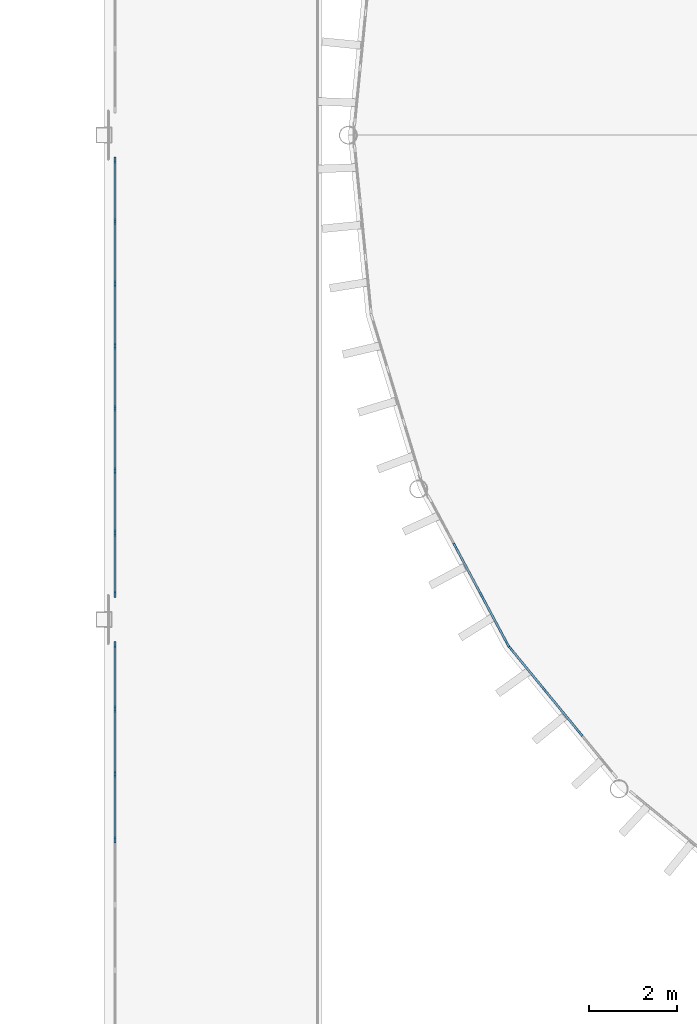
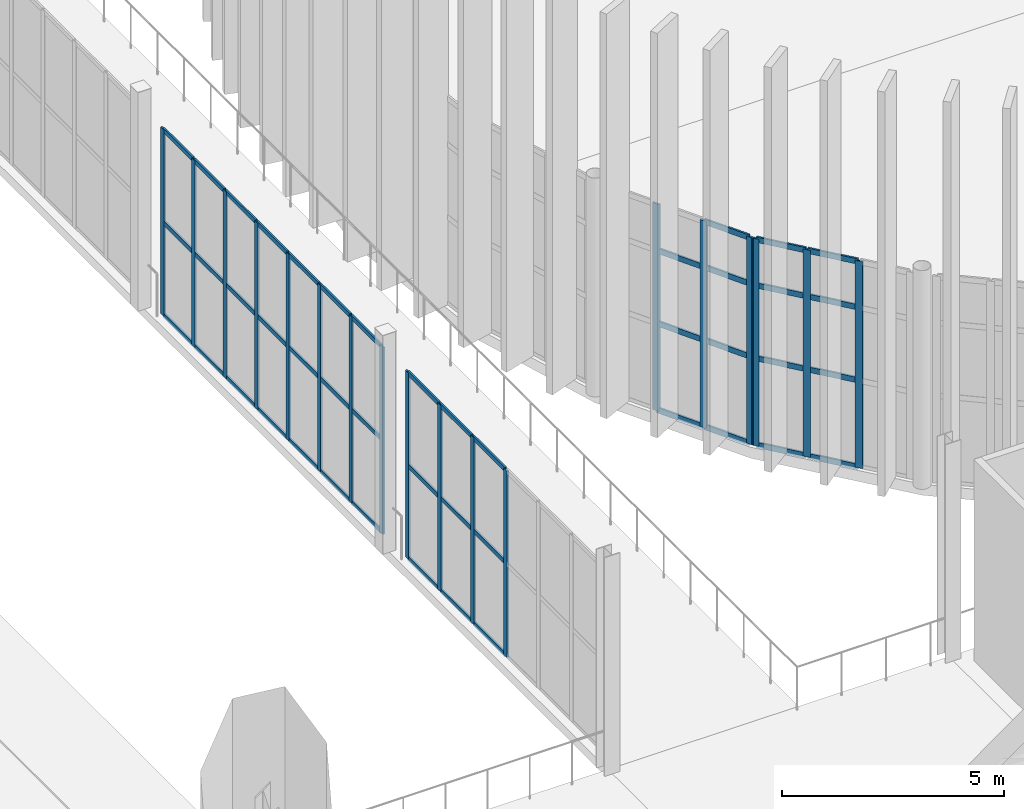
# One storey, part 41 of 139: 63 members, 4 elements without a shape of their own.
"""IFC4 building model written with IfcOpenShell, lengths in metres."""

from ifc_helpers import new_model, si_unit, direction, frame, origin, origin_2d, place, context, subcontext, project, spatial, rectangle, extrude, material, layer, layer_set, material_profile, profile_set, type_object, element, aggregate, save


model = new_model("IFC4")

# Units and contexts
model_context = context("Model", 3, precision=1e-05, world=origin(), true_north=direction((0.0, 1.0)))
body_context = subcontext(model_context, "Body", "Model", "MODEL_VIEW")
ifc_project = project(units=[si_unit("LENGTHUNIT", "METRE"), si_unit("AREAUNIT", "SQUARE_METRE"), si_unit("VOLUMEUNIT", "CUBIC_METRE"), si_unit("PLANEANGLEUNIT", "RADIAN"), si_unit("MASSUNIT", "GRAM", prefix="KILO")], contexts=[model_context])

# Site, building, storey
site_placement = place(None, origin())
site = spatial("IfcSite", under=ifc_project, at=site_placement, CompositionType="ELEMENT")
building_placement = place(site_placement, origin())
building = spatial("IfcBuilding", under=site, at=building_placement, Name="Yeouljin Market Hall", CompositionType="ELEMENT")
storey_placement = place(building_placement, origin())
storey = spatial("IfcBuildingStorey", under=building, at=storey_placement, Name="L00", CompositionType="ELEMENT", Elevation=0.0)

# Curtain wall, members
ifc_material_1 = material(Name="Thermally Broken Aluminium", Category="aluminium")
ifc_layer_1 = layer(ifc_material_1, 0.14990234375)
ifc_layer_set_1 = layer_set([ifc_layer_1], Name="Thermally Broken Aluminium")
curtain_wall_type_1 = type_object("IfcCurtainWallType", Name="CW_WingStorefront_System", PredefinedType="USERDEFINED", material=ifc_layer_set_1)
curtain_wall_1_placement = place(storey_placement, origin())
curtain_wall_1 = element("IfcCurtainWall", 1, at=curtain_wall_1_placement, inside=storey, type_object=curtain_wall_type_1, Name="Curtain wall CW-CRT-L00-05", ObjectType="CURTAIN WALL", PredefinedType="USERDEFINED")
ifc_material_2 = material(Name="Thermally Broken Aluminium", Category="aluminium")
ifc_material_profile_1 = material_profile(ifc_material_2, rectangle(XDim=0.048095703125, YDim=0.14990234375, at=origin_2d()), Name="CW-MULL-48x150")
ifc_profile_set_1 = profile_set([ifc_material_profile_1], Name="Thermally Broken Aluminium")
member_type_1 = type_object("IfcMemberType", Name="CWMullion_48x150", PredefinedType="MULLION", material=ifc_profile_set_1)
member_1_placement = place(storey_placement, frame((9.10009765625, 41.0, 0.0), z_axis=(0.0, 0.0, 1.0), x_axis=(-1.0, 0.0, 0.0)))
member_1 = element("IfcMember", 2, at=member_1_placement, type_object=member_type_1, Name="CW-04 mullion 4", PredefinedType="MULLION", context=body_context, shape_type="SweptSolid", body=[
    extrude(rectangle(XDim=0.048095703125, YDim=0.14990234375, at=origin_2d()), origin(), (0.0, 0.0, 1.0), 5.1201171875),
])
member_2_placement = place(storey_placement, frame((9.10009765625, 42.4833984375, 0.0), z_axis=(0.0, 0.0, 1.0), x_axis=(-1.0, 0.0, 0.0)))
member_2 = element("IfcMember", 3, at=member_2_placement, type_object=member_type_1, Name="CW-04 mullion 5", PredefinedType="MULLION", context=body_context, shape_type="SweptSolid", body=[
    extrude(rectangle(XDim=0.048095703125, YDim=0.14990234375, at=origin_2d()), origin(), (0.0, 0.0, 1.0), 5.1201171875),
])
member_3_placement = place(storey_placement, frame((9.10009765625, 43.966552734375, 0.0), z_axis=(0.0, 0.0, 1.0), x_axis=(-1.0, 0.0, 0.0)))
member_3 = element("IfcMember", 4, at=member_3_placement, type_object=member_type_1, Name="CW-04 mullion 6", PredefinedType="MULLION", context=body_context, shape_type="SweptSolid", body=[
    extrude(rectangle(XDim=0.048095703125, YDim=0.14990234375, at=origin_2d()), origin(), (0.0, 0.0, 1.0), 5.1201171875),
])
member_4_placement = place(storey_placement, frame((9.10009765625, 45.426025390625, 0.0), z_axis=(0.0, 0.0, 1.0), x_axis=(-1.0, 0.0, 0.0)))
member_4 = element("IfcMember", 5, at=member_4_placement, type_object=member_type_1, Name="CW-04 mullion 7", PredefinedType="MULLION", context=body_context, shape_type="SweptSolid", body=[
    extrude(rectangle(XDim=0.048095703125, YDim=0.14990234375, at=origin_2d()), origin(), (0.0, 0.0, 1.0), 5.1201171875),
])

curtain_wall_2_placement = place(storey_placement, origin())
curtain_wall_2 = element("IfcCurtainWall", 6, at=curtain_wall_2_placement, inside=storey, type_object=curtain_wall_type_1, Name="Curtain wall CW-CRT-L00-06", ObjectType="CURTAIN WALL", PredefinedType="USERDEFINED")
member_5_placement = place(storey_placement, frame((9.10009765625, 46.573974609375, 0.0), z_axis=(0.0, 0.0, 1.0), x_axis=(-1.0, 0.0, 0.0)))
member_5 = element("IfcMember", 7, at=member_5_placement, type_object=member_type_1, Name="CW-04 mullion 1", PredefinedType="MULLION", context=body_context, shape_type="SweptSolid", body=[
    extrude(rectangle(XDim=0.048095703125, YDim=0.14990234375, at=origin_2d()), origin(), (0.0, 0.0, 1.0), 5.1201171875),
])
member_6_placement = place(storey_placement, frame((9.10009765625, 47.96435546875, 0.0), z_axis=(0.0, 0.0, 1.0), x_axis=(-1.0, 0.0, 0.0)))
member_6 = element("IfcMember", 8, at=member_6_placement, type_object=member_type_1, Name="CW-04 mullion 2", PredefinedType="MULLION", context=body_context, shape_type="SweptSolid", body=[
    extrude(rectangle(XDim=0.048095703125, YDim=0.14990234375, at=origin_2d()), origin(), (0.0, 0.0, 1.0), 5.1201171875),
])
member_7_placement = place(storey_placement, frame((9.10009765625, 49.378662109375, 0.0), z_axis=(0.0, 0.0, 1.0), x_axis=(-1.0, 0.0, 0.0)))
member_7 = element("IfcMember", 9, at=member_7_placement, type_object=member_type_1, Name="CW-04 mullion 3", PredefinedType="MULLION", context=body_context, shape_type="SweptSolid", body=[
    extrude(rectangle(XDim=0.048095703125, YDim=0.14990234375, at=origin_2d()), origin(), (0.0, 0.0, 1.0), 5.1201171875),
])
member_8_placement = place(storey_placement, frame((9.10009765625, 50.79296875, 0.0), z_axis=(0.0, 0.0, 1.0), x_axis=(-1.0, 0.0, 0.0)))
member_8 = element("IfcMember", 10, at=member_8_placement, type_object=member_type_1, Name="CW-04 mullion 4", PredefinedType="MULLION", context=body_context, shape_type="SweptSolid", body=[
    extrude(rectangle(XDim=0.048095703125, YDim=0.14990234375, at=origin_2d()), origin(), (0.0, 0.0, 1.0), 5.1201171875),
])
member_9_placement = place(storey_placement, frame((9.10009765625, 52.20703125, 0.0), z_axis=(0.0, 0.0, 1.0), x_axis=(-1.0, 0.0, 0.0)))
member_9 = element("IfcMember", 11, at=member_9_placement, type_object=member_type_1, Name="CW-04 mullion 5", PredefinedType="MULLION", context=body_context, shape_type="SweptSolid", body=[
    extrude(rectangle(XDim=0.048095703125, YDim=0.14990234375, at=origin_2d()), origin(), (0.0, 0.0, 1.0), 5.1201171875),
])
member_10_placement = place(storey_placement, frame((9.10009765625, 53.621337890625, 0.0), z_axis=(0.0, 0.0, 1.0), x_axis=(-1.0, 0.0, 0.0)))
member_10 = element("IfcMember", 12, at=member_10_placement, type_object=member_type_1, Name="CW-04 mullion 6", PredefinedType="MULLION", context=body_context, shape_type="SweptSolid", body=[
    extrude(rectangle(XDim=0.048095703125, YDim=0.14990234375, at=origin_2d()), origin(), (0.0, 0.0, 1.0), 5.1201171875),
])
member_11_placement = place(storey_placement, frame((9.10009765625, 55.03564453125, 0.0), z_axis=(0.0, 0.0, 1.0), x_axis=(-1.0, 0.0, 0.0)))
member_11 = element("IfcMember", 13, at=member_11_placement, type_object=member_type_1, Name="CW-04 mullion 7", PredefinedType="MULLION", context=body_context, shape_type="SweptSolid", body=[
    extrude(rectangle(XDim=0.048095703125, YDim=0.14990234375, at=origin_2d()), origin(), (0.0, 0.0, 1.0), 5.1201171875),
])
member_12_placement = place(storey_placement, frame((9.10009765625, 56.426025390625, 0.0), z_axis=(0.0, 0.0, 1.0), x_axis=(-1.0, 0.0, 0.0)))
member_12 = element("IfcMember", 14, at=member_12_placement, type_object=member_type_1, Name="CW-04 mullion 8", PredefinedType="MULLION", context=body_context, shape_type="SweptSolid", body=[
    extrude(rectangle(XDim=0.048095703125, YDim=0.14990234375, at=origin_2d()), origin(), (0.0, 0.0, 1.0), 5.1201171875),
])

ifc_material_3 = material(Name="Thermally Broken Aluminium", Category="aluminium")
ifc_layer_2 = layer(ifc_material_3, 0.179931640625)
ifc_layer_set_2 = layer_set([ifc_layer_2], Name="Thermally Broken Aluminium")
curtain_wall_type_2 = type_object("IfcCurtainWallType", Name="CW_ApseCurved_System", PredefinedType="USERDEFINED", material=ifc_layer_set_2)
curtain_wall_3_placement = place(storey_placement, origin())
curtain_wall_3 = element("IfcCurtainWall", 15, at=curtain_wall_3_placement, inside=storey, type_object=curtain_wall_type_2, Name="Curtain wall CW-AP-WL00-05", ObjectType="CURTAIN WALL", PredefinedType="USERDEFINED")
ifc_material_4 = material(Name="Thermally Broken Aluminium", Category="aluminium")
ifc_material_profile_2 = material_profile(ifc_material_4, rectangle(XDim=0.048095703125, YDim=0.179931640625, at=origin_2d()), Name="CW-MULL-48x180")
ifc_profile_set_2 = profile_set([ifc_material_profile_2], Name="Thermally Broken Aluminium")
member_type_2 = type_object("IfcMemberType", Name="CWMullion_48x180", PredefinedType="MULLION", material=ifc_profile_set_2)
member_13_placement = place(storey_placement, frame((19.66015625, 43.42431640625, 0.0), z_axis=(0.0, 0.0, 1.0), x_axis=(-0.773017717982, -0.634384432096, 0.0)))
member_13 = element("IfcMember", 16, at=member_13_placement, type_object=member_type_2, Name="CW-03 mullion 2", PredefinedType="MULLION", context=body_context, shape_type="SweptSolid", body=[
    extrude(rectangle(XDim=0.048095703125, YDim=0.179931640625, at=origin_2d()), origin(), (0.0, 0.0, 1.0), 5.679931640625),
])
member_14_placement = place(storey_placement, frame((18.8623046875, 44.396484375, 0.0), z_axis=(0.0, 0.0, 1.0), x_axis=(-0.773017717982, -0.634384432096, 0.0)))
member_14 = element("IfcMember", 17, at=member_14_placement, type_object=member_type_2, Name="CW-03 mullion 3", PredefinedType="MULLION", context=body_context, shape_type="SweptSolid", body=[
    extrude(rectangle(XDim=0.048095703125, YDim=0.179931640625, at=origin_2d()), origin(), (0.0, 0.0, 1.0), 5.679931640625),
])
member_15_placement = place(storey_placement, frame((18.07958984375, 45.350341796875, 0.0), z_axis=(0.0, 0.0, 1.0), x_axis=(-0.773017717982, -0.634384432096, 0.0)))
member_15 = element("IfcMember", 18, at=member_15_placement, type_object=member_type_2, Name="CW-03 mullion 4", PredefinedType="MULLION", context=body_context, shape_type="SweptSolid", body=[
    extrude(rectangle(XDim=0.048095703125, YDim=0.179931640625, at=origin_2d()), origin(), (0.0, 0.0, 1.0), 5.679931640625),
])

curtain_wall_4_placement = place(storey_placement, origin())
curtain_wall_4 = element("IfcCurtainWall", 19, at=curtain_wall_4_placement, inside=storey, type_object=curtain_wall_type_2, Name="Curtain wall CW-AP-WL00-06", ObjectType="CURTAIN WALL", PredefinedType="USERDEFINED")
member_16_placement = place(storey_placement, frame((18.0087890625, 45.4560546875, 0.0), z_axis=(0.0, 0.0, 1.0), x_axis=(-0.881931478712, -0.471377626598, 0.0)))
member_16 = element("IfcMember", 20, at=member_16_placement, type_object=member_type_2, Name="CW-03 mullion 1", PredefinedType="MULLION", context=body_context, shape_type="SweptSolid", body=[
    extrude(rectangle(XDim=0.048095703125, YDim=0.179931640625, at=origin_2d()), origin(), (0.0, 0.0, 1.0), 5.679931640625),
])
member_17_placement = place(storey_placement, frame((17.42724609375, 46.544189453125, 0.0), z_axis=(0.0, 0.0, 1.0), x_axis=(-0.881931478712, -0.471377626598, 0.0)))
member_17 = element("IfcMember", 21, at=member_17_placement, type_object=member_type_2, Name="CW-03 mullion 2", PredefinedType="MULLION", context=body_context, shape_type="SweptSolid", body=[
    extrude(rectangle(XDim=0.048095703125, YDim=0.179931640625, at=origin_2d()), origin(), (0.0, 0.0, 1.0), 5.679931640625),
])
member_18_placement = place(storey_placement, frame((16.834228515625, 47.653564453125, 0.0), z_axis=(0.0, 0.0, 1.0), x_axis=(-0.881931478712, -0.471377626598, 0.0)))
member_18 = element("IfcMember", 22, at=member_18_placement, type_object=member_type_2, Name="CW-03 mullion 3", PredefinedType="MULLION", context=body_context, shape_type="SweptSolid", body=[
    extrude(rectangle(XDim=0.048095703125, YDim=0.179931640625, at=origin_2d()), origin(), (0.0, 0.0, 1.0), 5.679931640625),
])

# Member
ifc_material_5 = material(Name="Thermally Broken Aluminium", Category="aluminium")
ifc_material_profile_3 = material_profile(ifc_material_5, rectangle(XDim=0.048095703125, YDim=0.1201171875, at=origin_2d()), Name="CW-TRAN-48x120")
ifc_profile_set_3 = profile_set([ifc_material_profile_3], Name="Thermally Broken Aluminium")
member_type_3 = type_object("IfcMemberType", Name="CWTransom_48x120", PredefinedType="USERDEFINED", material=ifc_profile_set_3)
member_19_placement = place(storey_placement, frame((9.10009765625, 41.02392578125, 0.02392578125), z_axis=(0.0, 1.0, 0.0), x_axis=(-1.0, 0.0, 0.0)))
member_19 = element("IfcMember", 23, at=member_19_placement, type_object=member_type_3, Name="CW-04 transom 4.1", ObjectType="TRANSOM", PredefinedType="USERDEFINED", context=body_context, shape_type="SweptSolid", body=[
    extrude(rectangle(XDim=0.048095703125, YDim=0.1201171875, at=origin_2d()), origin(), (0.0, 0.0, 1.0), 1.435302734375),
])

member_20_placement = place(storey_placement, frame((9.10009765625, 41.02392578125, 2.56005859375), z_axis=(0.0, 1.0, 0.0), x_axis=(-1.0, 0.0, 0.0)))
member_20 = element("IfcMember", 24, at=member_20_placement, type_object=member_type_3, Name="CW-04 transom 4.2", ObjectType="TRANSOM", PredefinedType="USERDEFINED", context=body_context, shape_type="SweptSolid", body=[
    extrude(rectangle(XDim=0.048095703125, YDim=0.1201171875, at=origin_2d()), origin(), (0.0, 0.0, 1.0), 1.435302734375),
])

member_21_placement = place(storey_placement, frame((9.10009765625, 41.02392578125, 5.095947265625), z_axis=(0.0, 1.0, 0.0), x_axis=(-1.0, 0.0, 0.0)))
member_21 = element("IfcMember", 25, at=member_21_placement, type_object=member_type_3, Name="CW-04 transom 4.3", ObjectType="TRANSOM", PredefinedType="USERDEFINED", context=body_context, shape_type="SweptSolid", body=[
    extrude(rectangle(XDim=0.048095703125, YDim=0.1201171875, at=origin_2d()), origin(), (0.0, 0.0, 1.0), 1.435302734375),
])

member_22_placement = place(storey_placement, frame((9.10009765625, 42.50732421875, 0.02392578125), z_axis=(0.0, 1.0, 0.0), x_axis=(-1.0, 0.0, 0.0)))
member_22 = element("IfcMember", 26, at=member_22_placement, type_object=member_type_3, Name="CW-04 transom 5.1", ObjectType="TRANSOM", PredefinedType="USERDEFINED", context=body_context, shape_type="SweptSolid", body=[
    extrude(rectangle(XDim=0.048095703125, YDim=0.1201171875, at=origin_2d()), origin(), (0.0, 0.0, 1.0), 1.435302734375),
])

member_23_placement = place(storey_placement, frame((9.10009765625, 42.50732421875, 2.56005859375), z_axis=(0.0, 1.0, 0.0), x_axis=(-1.0, 0.0, 0.0)))
member_23 = element("IfcMember", 27, at=member_23_placement, type_object=member_type_3, Name="CW-04 transom 5.2", ObjectType="TRANSOM", PredefinedType="USERDEFINED", context=body_context, shape_type="SweptSolid", body=[
    extrude(rectangle(XDim=0.048095703125, YDim=0.1201171875, at=origin_2d()), origin(), (0.0, 0.0, 1.0), 1.435302734375),
])

member_24_placement = place(storey_placement, frame((9.10009765625, 42.50732421875, 5.095947265625), z_axis=(0.0, 1.0, 0.0), x_axis=(-1.0, 0.0, 0.0)))
member_24 = element("IfcMember", 28, at=member_24_placement, type_object=member_type_3, Name="CW-04 transom 5.3", ObjectType="TRANSOM", PredefinedType="USERDEFINED", context=body_context, shape_type="SweptSolid", body=[
    extrude(rectangle(XDim=0.048095703125, YDim=0.1201171875, at=origin_2d()), origin(), (0.0, 0.0, 1.0), 1.435302734375),
])

member_25_placement = place(storey_placement, frame((9.10009765625, 43.99072265625, 0.02392578125), z_axis=(0.0, 1.0, 0.0), x_axis=(-1.0, 0.0, 0.0)))
member_25 = element("IfcMember", 29, at=member_25_placement, type_object=member_type_3, Name="CW-04 transom 6.1", ObjectType="TRANSOM", PredefinedType="USERDEFINED", context=body_context, shape_type="SweptSolid", body=[
    extrude(rectangle(XDim=0.048095703125, YDim=0.1201171875, at=origin_2d()), origin(), (0.0, 0.0, 1.0), 1.411376953125),
])

member_26_placement = place(storey_placement, frame((9.10009765625, 43.99072265625, 2.56005859375), z_axis=(0.0, 1.0, 0.0), x_axis=(-1.0, 0.0, 0.0)))
member_26 = element("IfcMember", 30, at=member_26_placement, type_object=member_type_3, Name="CW-04 transom 6.2", ObjectType="TRANSOM", PredefinedType="USERDEFINED", context=body_context, shape_type="SweptSolid", body=[
    extrude(rectangle(XDim=0.048095703125, YDim=0.1201171875, at=origin_2d()), origin(), (0.0, 0.0, 1.0), 1.411376953125),
])

member_27_placement = place(storey_placement, frame((9.10009765625, 43.99072265625, 5.095947265625), z_axis=(0.0, 1.0, 0.0), x_axis=(-1.0, 0.0, 0.0)))
member_27 = element("IfcMember", 31, at=member_27_placement, type_object=member_type_3, Name="CW-04 transom 6.3", ObjectType="TRANSOM", PredefinedType="USERDEFINED", context=body_context, shape_type="SweptSolid", body=[
    extrude(rectangle(XDim=0.048095703125, YDim=0.1201171875, at=origin_2d()), origin(), (0.0, 0.0, 1.0), 1.411376953125),
])

aggregate(curtain_wall_1, [member_1, member_2, member_3, member_4, member_19, member_20, member_21, member_22, member_23, member_24, member_25, member_26, member_27])

member_28_placement = place(storey_placement, frame((9.10009765625, 46.597900390625, 0.02392578125), z_axis=(0.0, 1.0, 0.0), x_axis=(-1.0, 0.0, 0.0)))
member_28 = element("IfcMember", 32, at=member_28_placement, type_object=member_type_3, Name="CW-04 transom 1.1", ObjectType="TRANSOM", PredefinedType="USERDEFINED", context=body_context, shape_type="SweptSolid", body=[
    extrude(rectangle(XDim=0.048095703125, YDim=0.1201171875, at=origin_2d()), origin(), (0.0, 0.0, 1.0), 1.34228515625),
])

member_29_placement = place(storey_placement, frame((9.10009765625, 46.597900390625, 2.56005859375), z_axis=(0.0, 1.0, 0.0), x_axis=(-1.0, 0.0, 0.0)))
member_29 = element("IfcMember", 33, at=member_29_placement, type_object=member_type_3, Name="CW-04 transom 1.2", ObjectType="TRANSOM", PredefinedType="USERDEFINED", context=body_context, shape_type="SweptSolid", body=[
    extrude(rectangle(XDim=0.048095703125, YDim=0.1201171875, at=origin_2d()), origin(), (0.0, 0.0, 1.0), 1.34228515625),
])

member_30_placement = place(storey_placement, frame((9.10009765625, 46.597900390625, 5.095947265625), z_axis=(0.0, 1.0, 0.0), x_axis=(-1.0, 0.0, 0.0)))
member_30 = element("IfcMember", 34, at=member_30_placement, type_object=member_type_3, Name="CW-04 transom 1.3", ObjectType="TRANSOM", PredefinedType="USERDEFINED", context=body_context, shape_type="SweptSolid", body=[
    extrude(rectangle(XDim=0.048095703125, YDim=0.1201171875, at=origin_2d()), origin(), (0.0, 0.0, 1.0), 1.34228515625),
])

member_31_placement = place(storey_placement, frame((9.10009765625, 47.98828125, 0.02392578125), z_axis=(0.0, 1.0, 0.0), x_axis=(-1.0, 0.0, 0.0)))
member_31 = element("IfcMember", 35, at=member_31_placement, type_object=member_type_3, Name="CW-04 transom 2.1", ObjectType="TRANSOM", PredefinedType="USERDEFINED", context=body_context, shape_type="SweptSolid", body=[
    extrude(rectangle(XDim=0.048095703125, YDim=0.1201171875, at=origin_2d()), origin(), (0.0, 0.0, 1.0), 1.3662109375),
])

member_32_placement = place(storey_placement, frame((9.10009765625, 47.98828125, 2.56005859375), z_axis=(0.0, 1.0, 0.0), x_axis=(-1.0, 0.0, 0.0)))
member_32 = element("IfcMember", 36, at=member_32_placement, type_object=member_type_3, Name="CW-04 transom 2.2", ObjectType="TRANSOM", PredefinedType="USERDEFINED", context=body_context, shape_type="SweptSolid", body=[
    extrude(rectangle(XDim=0.048095703125, YDim=0.1201171875, at=origin_2d()), origin(), (0.0, 0.0, 1.0), 1.3662109375),
])

member_33_placement = place(storey_placement, frame((9.10009765625, 47.98828125, 5.095947265625), z_axis=(0.0, 1.0, 0.0), x_axis=(-1.0, 0.0, 0.0)))
member_33 = element("IfcMember", 37, at=member_33_placement, type_object=member_type_3, Name="CW-04 transom 2.3", ObjectType="TRANSOM", PredefinedType="USERDEFINED", context=body_context, shape_type="SweptSolid", body=[
    extrude(rectangle(XDim=0.048095703125, YDim=0.1201171875, at=origin_2d()), origin(), (0.0, 0.0, 1.0), 1.3662109375),
])

member_34_placement = place(storey_placement, frame((9.10009765625, 49.402587890625, 0.02392578125), z_axis=(0.0, 1.0, 0.0), x_axis=(-1.0, 0.0, 0.0)))
member_34 = element("IfcMember", 38, at=member_34_placement, type_object=member_type_3, Name="CW-04 transom 3.1", ObjectType="TRANSOM", PredefinedType="USERDEFINED", context=body_context, shape_type="SweptSolid", body=[
    extrude(rectangle(XDim=0.048095703125, YDim=0.1201171875, at=origin_2d()), origin(), (0.0, 0.0, 1.0), 1.3662109375),
])

member_35_placement = place(storey_placement, frame((9.10009765625, 49.402587890625, 2.56005859375), z_axis=(0.0, 1.0, 0.0), x_axis=(-1.0, 0.0, 0.0)))
member_35 = element("IfcMember", 39, at=member_35_placement, type_object=member_type_3, Name="CW-04 transom 3.2", ObjectType="TRANSOM", PredefinedType="USERDEFINED", context=body_context, shape_type="SweptSolid", body=[
    extrude(rectangle(XDim=0.048095703125, YDim=0.1201171875, at=origin_2d()), origin(), (0.0, 0.0, 1.0), 1.3662109375),
])

member_36_placement = place(storey_placement, frame((9.10009765625, 49.402587890625, 5.095947265625), z_axis=(0.0, 1.0, 0.0), x_axis=(-1.0, 0.0, 0.0)))
member_36 = element("IfcMember", 40, at=member_36_placement, type_object=member_type_3, Name="CW-04 transom 3.3", ObjectType="TRANSOM", PredefinedType="USERDEFINED", context=body_context, shape_type="SweptSolid", body=[
    extrude(rectangle(XDim=0.048095703125, YDim=0.1201171875, at=origin_2d()), origin(), (0.0, 0.0, 1.0), 1.3662109375),
])

member_37_placement = place(storey_placement, frame((9.10009765625, 50.81689453125, 0.02392578125), z_axis=(0.0, 1.0, 0.0), x_axis=(-1.0, 0.0, 0.0)))
member_37 = element("IfcMember", 41, at=member_37_placement, type_object=member_type_3, Name="CW-04 transom 4.1", ObjectType="TRANSOM", PredefinedType="USERDEFINED", context=body_context, shape_type="SweptSolid", body=[
    extrude(rectangle(XDim=0.048095703125, YDim=0.1201171875, at=origin_2d()), origin(), (0.0, 0.0, 1.0), 1.3662109375),
])

member_38_placement = place(storey_placement, frame((9.10009765625, 50.81689453125, 2.56005859375), z_axis=(0.0, 1.0, 0.0), x_axis=(-1.0, 0.0, 0.0)))
member_38 = element("IfcMember", 42, at=member_38_placement, type_object=member_type_3, Name="CW-04 transom 4.2", ObjectType="TRANSOM", PredefinedType="USERDEFINED", context=body_context, shape_type="SweptSolid", body=[
    extrude(rectangle(XDim=0.048095703125, YDim=0.1201171875, at=origin_2d()), origin(), (0.0, 0.0, 1.0), 1.3662109375),
])

member_39_placement = place(storey_placement, frame((9.10009765625, 50.81689453125, 5.095947265625), z_axis=(0.0, 1.0, 0.0), x_axis=(-1.0, 0.0, 0.0)))
member_39 = element("IfcMember", 43, at=member_39_placement, type_object=member_type_3, Name="CW-04 transom 4.3", ObjectType="TRANSOM", PredefinedType="USERDEFINED", context=body_context, shape_type="SweptSolid", body=[
    extrude(rectangle(XDim=0.048095703125, YDim=0.1201171875, at=origin_2d()), origin(), (0.0, 0.0, 1.0), 1.3662109375),
])

member_40_placement = place(storey_placement, frame((9.10009765625, 52.231201171875, 0.02392578125), z_axis=(0.0, 1.0, 0.0), x_axis=(-1.0, 0.0, 0.0)))
member_40 = element("IfcMember", 44, at=member_40_placement, type_object=member_type_3, Name="CW-04 transom 5.1", ObjectType="TRANSOM", PredefinedType="USERDEFINED", context=body_context, shape_type="SweptSolid", body=[
    extrude(rectangle(XDim=0.048095703125, YDim=0.1201171875, at=origin_2d()), origin(), (0.0, 0.0, 1.0), 1.3662109375),
])

member_41_placement = place(storey_placement, frame((9.10009765625, 52.231201171875, 2.56005859375), z_axis=(0.0, 1.0, 0.0), x_axis=(-1.0, 0.0, 0.0)))
member_41 = element("IfcMember", 45, at=member_41_placement, type_object=member_type_3, Name="CW-04 transom 5.2", ObjectType="TRANSOM", PredefinedType="USERDEFINED", context=body_context, shape_type="SweptSolid", body=[
    extrude(rectangle(XDim=0.048095703125, YDim=0.1201171875, at=origin_2d()), origin(), (0.0, 0.0, 1.0), 1.3662109375),
])

member_42_placement = place(storey_placement, frame((9.10009765625, 52.231201171875, 5.095947265625), z_axis=(0.0, 1.0, 0.0), x_axis=(-1.0, 0.0, 0.0)))
member_42 = element("IfcMember", 46, at=member_42_placement, type_object=member_type_3, Name="CW-04 transom 5.3", ObjectType="TRANSOM", PredefinedType="USERDEFINED", context=body_context, shape_type="SweptSolid", body=[
    extrude(rectangle(XDim=0.048095703125, YDim=0.1201171875, at=origin_2d()), origin(), (0.0, 0.0, 1.0), 1.3662109375),
])

member_43_placement = place(storey_placement, frame((9.10009765625, 53.6455078125, 0.02392578125), z_axis=(0.0, 1.0, 0.0), x_axis=(-1.0, 0.0, 0.0)))
member_43 = element("IfcMember", 47, at=member_43_placement, type_object=member_type_3, Name="CW-04 transom 6.1", ObjectType="TRANSOM", PredefinedType="USERDEFINED", context=body_context, shape_type="SweptSolid", body=[
    extrude(rectangle(XDim=0.048095703125, YDim=0.1201171875, at=origin_2d()), origin(), (0.0, 0.0, 1.0), 1.3662109375),
])

member_44_placement = place(storey_placement, frame((9.10009765625, 53.6455078125, 2.56005859375), z_axis=(0.0, 1.0, 0.0), x_axis=(-1.0, 0.0, 0.0)))
member_44 = element("IfcMember", 48, at=member_44_placement, type_object=member_type_3, Name="CW-04 transom 6.2", ObjectType="TRANSOM", PredefinedType="USERDEFINED", context=body_context, shape_type="SweptSolid", body=[
    extrude(rectangle(XDim=0.048095703125, YDim=0.1201171875, at=origin_2d()), origin(), (0.0, 0.0, 1.0), 1.3662109375),
])

member_45_placement = place(storey_placement, frame((9.10009765625, 53.6455078125, 5.095947265625), z_axis=(0.0, 1.0, 0.0), x_axis=(-1.0, 0.0, 0.0)))
member_45 = element("IfcMember", 49, at=member_45_placement, type_object=member_type_3, Name="CW-04 transom 6.3", ObjectType="TRANSOM", PredefinedType="USERDEFINED", context=body_context, shape_type="SweptSolid", body=[
    extrude(rectangle(XDim=0.048095703125, YDim=0.1201171875, at=origin_2d()), origin(), (0.0, 0.0, 1.0), 1.3662109375),
])

member_46_placement = place(storey_placement, frame((9.10009765625, 55.059814453125, 0.02392578125), z_axis=(0.0, 1.0, 0.0), x_axis=(-1.0, 0.0, 0.0)))
member_46 = element("IfcMember", 50, at=member_46_placement, type_object=member_type_3, Name="CW-04 transom 7.1", ObjectType="TRANSOM", PredefinedType="USERDEFINED", context=body_context, shape_type="SweptSolid", body=[
    extrude(rectangle(XDim=0.048095703125, YDim=0.1201171875, at=origin_2d()), origin(), (0.0, 0.0, 1.0), 1.34228515625),
])

member_47_placement = place(storey_placement, frame((9.10009765625, 55.059814453125, 2.56005859375), z_axis=(0.0, 1.0, 0.0), x_axis=(-1.0, 0.0, 0.0)))
member_47 = element("IfcMember", 51, at=member_47_placement, type_object=member_type_3, Name="CW-04 transom 7.2", ObjectType="TRANSOM", PredefinedType="USERDEFINED", context=body_context, shape_type="SweptSolid", body=[
    extrude(rectangle(XDim=0.048095703125, YDim=0.1201171875, at=origin_2d()), origin(), (0.0, 0.0, 1.0), 1.34228515625),
])

member_48_placement = place(storey_placement, frame((9.10009765625, 55.059814453125, 5.095947265625), z_axis=(0.0, 1.0, 0.0), x_axis=(-1.0, 0.0, 0.0)))
member_48 = element("IfcMember", 52, at=member_48_placement, type_object=member_type_3, Name="CW-04 transom 7.3", ObjectType="TRANSOM", PredefinedType="USERDEFINED", context=body_context, shape_type="SweptSolid", body=[
    extrude(rectangle(XDim=0.048095703125, YDim=0.1201171875, at=origin_2d()), origin(), (0.0, 0.0, 1.0), 1.34228515625),
])

aggregate(curtain_wall_2, [member_5, member_6, member_7, member_8, member_9, member_10, member_11, member_12, member_28, member_29, member_30, member_31, member_32, member_33, member_34, member_35, member_36, member_37, member_38, member_39, member_40, member_41, member_42, member_43, member_44, member_45, member_46, member_47, member_48])

ifc_material_6 = material(Name="Thermally Broken Aluminium", Category="aluminium")
ifc_material_profile_4 = material_profile(ifc_material_6, rectangle(XDim=0.048095703125, YDim=0.14990234375, at=origin_2d()), Name="CW-TRAN-48x150")
ifc_profile_set_4 = profile_set([ifc_material_profile_4], Name="Thermally Broken Aluminium")
member_type_4 = type_object("IfcMemberType", Name="CWTransom_48x150", PredefinedType="USERDEFINED", material=ifc_profile_set_4)
member_49_placement = place(storey_placement, frame((19.644775390625, 43.44287109375, 0.02392578125), z_axis=(-0.634369190557, 0.773030225846, 0.0), x_axis=(-0.773030225846, -0.634369190557, 0.0)))
member_49 = element("IfcMember", 53, at=member_49_placement, type_object=member_type_4, Name="CW-03 transom 2.1", ObjectType="TRANSOM", PredefinedType="USERDEFINED", context=body_context, shape_type="SweptSolid", body=[
    extrude(rectangle(XDim=0.048095703125, YDim=0.14990234375, at=origin_2d()), origin(), (0.0, 0.0, 1.0), 1.209716796875),
])

member_50_placement = place(storey_placement, frame((19.644775390625, 43.44287109375, 2.39990234375), z_axis=(-0.634369190557, 0.773030225846, 0.0), x_axis=(-0.773030225846, -0.634369190557, 0.0)))
member_50 = element("IfcMember", 54, at=member_50_placement, type_object=member_type_4, Name="CW-03 transom 2.2", ObjectType="TRANSOM", PredefinedType="USERDEFINED", context=body_context, shape_type="SweptSolid", body=[
    extrude(rectangle(XDim=0.048095703125, YDim=0.14990234375, at=origin_2d()), origin(), (0.0, 0.0, 1.0), 1.209716796875),
])

member_51_placement = place(storey_placement, frame((19.644775390625, 43.44287109375, 4.39990234375), z_axis=(-0.634369190557, 0.773030225846, 0.0), x_axis=(-0.773030225846, -0.634369190557, 0.0)))
member_51 = element("IfcMember", 55, at=member_51_placement, type_object=member_type_4, Name="CW-03 transom 2.3", ObjectType="TRANSOM", PredefinedType="USERDEFINED", context=body_context, shape_type="SweptSolid", body=[
    extrude(rectangle(XDim=0.048095703125, YDim=0.14990234375, at=origin_2d()), origin(), (0.0, 0.0, 1.0), 1.209716796875),
])

member_52_placement = place(storey_placement, frame((19.644775390625, 43.44287109375, 5.656005859375), z_axis=(-0.634369190557, 0.773030225846, 0.0), x_axis=(-0.773030225846, -0.634369190557, 0.0)))
member_52 = element("IfcMember", 56, at=member_52_placement, type_object=member_type_4, Name="CW-03 transom 2.4", ObjectType="TRANSOM", PredefinedType="USERDEFINED", context=body_context, shape_type="SweptSolid", body=[
    extrude(rectangle(XDim=0.048095703125, YDim=0.14990234375, at=origin_2d()), origin(), (0.0, 0.0, 1.0), 1.209716796875),
])

member_53_placement = place(storey_placement, frame((18.846923828125, 44.4150390625, 0.02392578125), z_axis=(-0.634313456748, 0.773075959133, 0.0), x_axis=(-0.773075959133, -0.634313456748, 0.0)))
member_53 = element("IfcMember", 57, at=member_53_placement, type_object=member_type_4, Name="CW-03 transom 3.1", ObjectType="TRANSOM", PredefinedType="USERDEFINED", context=body_context, shape_type="SweptSolid", body=[
    extrude(rectangle(XDim=0.048095703125, YDim=0.14990234375, at=origin_2d()), origin(), (0.0, 0.0, 1.0), 1.185791015625),
])

member_54_placement = place(storey_placement, frame((18.846923828125, 44.4150390625, 2.39990234375), z_axis=(-0.634313456748, 0.773075959133, 0.0), x_axis=(-0.773075959133, -0.634313456748, 0.0)))
member_54 = element("IfcMember", 58, at=member_54_placement, type_object=member_type_4, Name="CW-03 transom 3.2", ObjectType="TRANSOM", PredefinedType="USERDEFINED", context=body_context, shape_type="SweptSolid", body=[
    extrude(rectangle(XDim=0.048095703125, YDim=0.14990234375, at=origin_2d()), origin(), (0.0, 0.0, 1.0), 1.185791015625),
])

member_55_placement = place(storey_placement, frame((18.846923828125, 44.4150390625, 4.39990234375), z_axis=(-0.634313456748, 0.773075959133, 0.0), x_axis=(-0.773075959133, -0.634313456748, 0.0)))
member_55 = element("IfcMember", 59, at=member_55_placement, type_object=member_type_4, Name="CW-03 transom 3.3", ObjectType="TRANSOM", PredefinedType="USERDEFINED", context=body_context, shape_type="SweptSolid", body=[
    extrude(rectangle(XDim=0.048095703125, YDim=0.14990234375, at=origin_2d()), origin(), (0.0, 0.0, 1.0), 1.185791015625),
])

member_56_placement = place(storey_placement, frame((18.846923828125, 44.4150390625, 5.656005859375), z_axis=(-0.634313456748, 0.773075959133, 0.0), x_axis=(-0.773075959133, -0.634313456748, 0.0)))
member_56 = element("IfcMember", 60, at=member_56_placement, type_object=member_type_4, Name="CW-03 transom 3.4", ObjectType="TRANSOM", PredefinedType="USERDEFINED", context=body_context, shape_type="SweptSolid", body=[
    extrude(rectangle(XDim=0.048095703125, YDim=0.14990234375, at=origin_2d()), origin(), (0.0, 0.0, 1.0), 1.185791015625),
])

aggregate(curtain_wall_3, [member_13, member_14, member_15, member_49, member_50, member_51, member_52, member_53, member_54, member_55, member_56])

member_57_placement = place(storey_placement, frame((17.997314453125, 45.477294921875, 0.02392578125), z_axis=(-0.471346894989, 0.881947903555, 0.0), x_axis=(-0.881947903555, -0.471346894989, 0.0)))
member_57 = element("IfcMember", 61, at=member_57_placement, type_object=member_type_4, Name="CW-03 transom 1.1", ObjectType="TRANSOM", PredefinedType="USERDEFINED", context=body_context, shape_type="SweptSolid", body=[
    extrude(rectangle(XDim=0.048095703125, YDim=0.14990234375, at=origin_2d()), origin(), (0.0, 0.0, 1.0), 1.185546875),
])

member_58_placement = place(storey_placement, frame((17.997314453125, 45.477294921875, 2.39990234375), z_axis=(-0.471346894989, 0.881947903555, 0.0), x_axis=(-0.881947903555, -0.471346894989, 0.0)))
member_58 = element("IfcMember", 62, at=member_58_placement, type_object=member_type_4, Name="CW-03 transom 1.2", ObjectType="TRANSOM", PredefinedType="USERDEFINED", context=body_context, shape_type="SweptSolid", body=[
    extrude(rectangle(XDim=0.048095703125, YDim=0.14990234375, at=origin_2d()), origin(), (0.0, 0.0, 1.0), 1.185546875),
])

member_59_placement = place(storey_placement, frame((17.997314453125, 45.477294921875, 4.39990234375), z_axis=(-0.471346894989, 0.881947903555, 0.0), x_axis=(-0.881947903555, -0.471346894989, 0.0)))
member_59 = element("IfcMember", 63, at=member_59_placement, type_object=member_type_4, Name="CW-03 transom 1.3", ObjectType="TRANSOM", PredefinedType="USERDEFINED", context=body_context, shape_type="SweptSolid", body=[
    extrude(rectangle(XDim=0.048095703125, YDim=0.14990234375, at=origin_2d()), origin(), (0.0, 0.0, 1.0), 1.185546875),
])

member_60_placement = place(storey_placement, frame((17.997314453125, 45.477294921875, 5.656005859375), z_axis=(-0.471346894989, 0.881947903555, 0.0), x_axis=(-0.881947903555, -0.471346894989, 0.0)))
member_60 = element("IfcMember", 64, at=member_60_placement, type_object=member_type_4, Name="CW-03 transom 1.4", ObjectType="TRANSOM", PredefinedType="USERDEFINED", context=body_context, shape_type="SweptSolid", body=[
    extrude(rectangle(XDim=0.048095703125, YDim=0.14990234375, at=origin_2d()), origin(), (0.0, 0.0, 1.0), 1.185546875),
])

member_61_placement = place(storey_placement, frame((17.415771484375, 46.5654296875, 0.02392578125), z_axis=(-0.471425984611, 0.881905630458, 0.0), x_axis=(-0.881905630458, -0.471425984611, 0.0)))
member_61 = element("IfcMember", 65, at=member_61_placement, type_object=member_type_4, Name="CW-03 transom 2.1", ObjectType="TRANSOM", PredefinedType="USERDEFINED", context=body_context, shape_type="SweptSolid", body=[
    extrude(rectangle(XDim=0.048095703125, YDim=0.14990234375, at=origin_2d()), origin(), (0.0, 0.0, 1.0), 1.209716796875),
])

member_62_placement = place(storey_placement, frame((17.415771484375, 46.5654296875, 2.39990234375), z_axis=(-0.471425984611, 0.881905630458, 0.0), x_axis=(-0.881905630458, -0.471425984611, 0.0)))
member_62 = element("IfcMember", 66, at=member_62_placement, type_object=member_type_4, Name="CW-03 transom 2.2", ObjectType="TRANSOM", PredefinedType="USERDEFINED", context=body_context, shape_type="SweptSolid", body=[
    extrude(rectangle(XDim=0.048095703125, YDim=0.14990234375, at=origin_2d()), origin(), (0.0, 0.0, 1.0), 1.209716796875),
])

member_63_placement = place(storey_placement, frame((17.415771484375, 46.5654296875, 4.39990234375), z_axis=(-0.471425984611, 0.881905630458, 0.0), x_axis=(-0.881905630458, -0.471425984611, 0.0)))
member_63 = element("IfcMember", 67, at=member_63_placement, type_object=member_type_4, Name="CW-03 transom 2.3", ObjectType="TRANSOM", PredefinedType="USERDEFINED", context=body_context, shape_type="SweptSolid", body=[
    extrude(rectangle(XDim=0.048095703125, YDim=0.14990234375, at=origin_2d()), origin(), (0.0, 0.0, 1.0), 1.209716796875),
])

aggregate(curtain_wall_4, [member_16, member_17, member_18, member_57, member_58, member_59, member_60, member_61, member_62, member_63])

save(model, "model.ifc")
